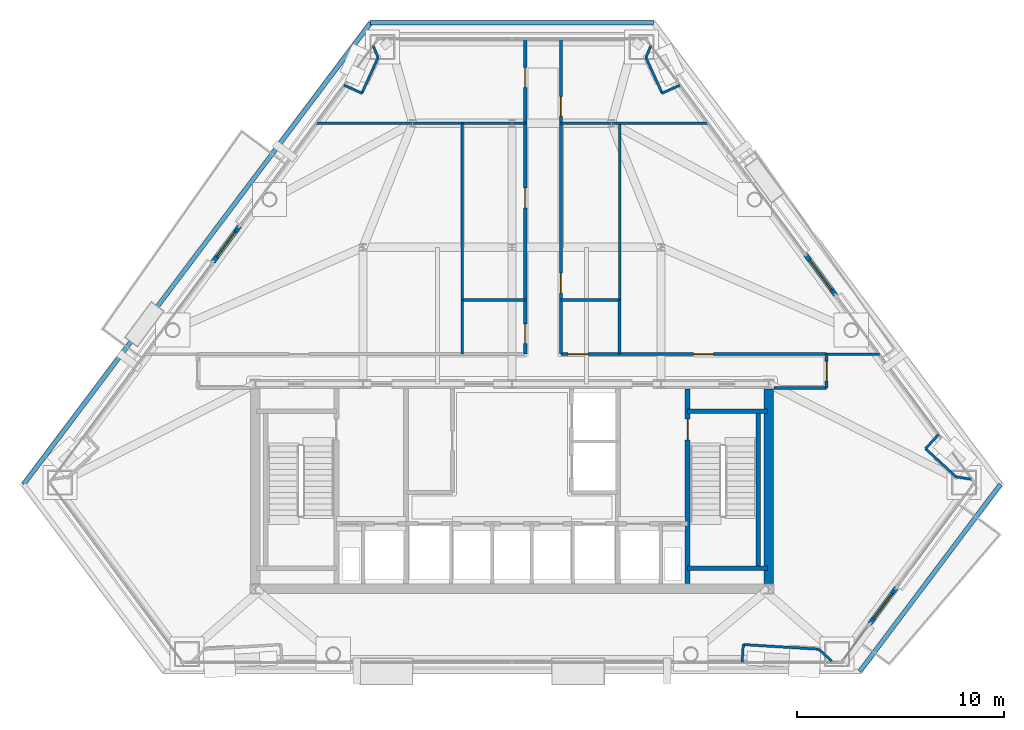
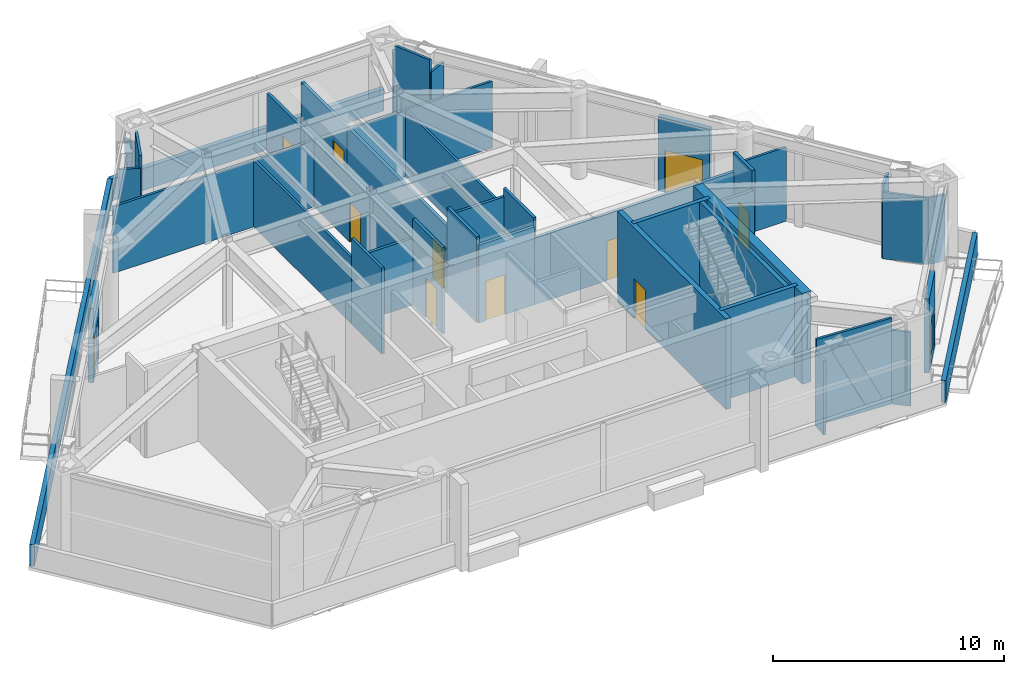
# One storey, part 6 of 9: 42 walls, 12 doors, 12 openings.
"""IFC4 building model written with IfcOpenShell, lengths in metres."""

import ifcopenshell
import ifcopenshell.guid

model = None  # the IFC model being written
_history = None  # IfcOwnerHistory: only IFC2X3 demands one
_inside = {}  # id of a spatial element -> (the spatial element, [elements in it])
_under = {}  # id of a project, library or spatial element -> (it, [spatial elements below it])
_declared = {}  # id of a project -> (the project, [libraries it declares])
_typed = {}  # id of a type object -> (the type object, [elements of that type])
_made_of = {}  # id of a material, layer set ... -> (it, [elements and type objects made of it])


def new_model(schema):
    """Start an empty IFC model of exactly this schema.

    Asked for "IFC4X3", IfcOpenShell would pick the latest addendum, in which some entities
    have other attributes; the version numbers below select the first issue.
    IFC2X3 requires an IfcOwnerHistory on every rooted entity: one is made here for all.
    """
    global model, _history
    if schema == "IFC4X3":
        model = ifcopenshell.file(schema_version=(4, 3, 0, 0))
    else:
        model = ifcopenshell.file(schema=schema)
    _inside.clear()
    _under.clear()
    _declared.clear()
    _typed.clear()
    _made_of.clear()
    _history = None
    if model.schema == "IFC2X3":
        org = make("IfcOrganization", Name="unknown")
        user = make(
            "IfcPersonAndOrganization",
            ThePerson=make("IfcPerson", FamilyName="unknown"),
            TheOrganization=org,
        )
        app = make(
            "IfcApplication",
            ApplicationDeveloper=org,
            Version="unknown",
            ApplicationFullName="unknown",
            ApplicationIdentifier="unknown",
        )
        _history = make(
            "IfcOwnerHistory",
            OwningUser=user,
            OwningApplication=app,
            ChangeAction="ADDED",
            CreationDate=0,
        )
    return model


def make(cls, **values):
    """One entity of the class cls with the attributes given. An attribute that is None is left unset."""
    return model.create_entity(
        cls, **{name: value for name, value in values.items() if value is not None}
    )


def rooted(cls, **values):
    """An entity with a GlobalId (a new one), such as an element, a storey or a relation."""
    return make(cls, GlobalId=ifcopenshell.guid.new(), OwnerHistory=_history, **values)


def si_unit(unit_type, name, prefix=None):
    """IfcSIUnit, for example si_unit("LENGTHUNIT", "METRE", prefix="MILLI")."""
    return make("IfcSIUnit", UnitType=unit_type, Prefix=prefix, Name=name)


def assignment(units):
    """IfcUnitAssignment: the units of a project."""
    return None if units is None else make("IfcUnitAssignment", Units=units)


def point(xyz):
    """IfcCartesianPoint."""
    return None if xyz is None else make("IfcCartesianPoint", Coordinates=xyz)


def direction(xyz):
    """IfcDirection."""
    return None if xyz is None else make("IfcDirection", DirectionRatios=xyz)


def frame(location, z_axis=None, x_axis=None):
    """IfcAxis2Placement3D, a coordinate frame: its origin and axes. An axis left out is left unset."""
    return make(
        "IfcAxis2Placement3D",
        Location=point(location),
        Axis=direction(z_axis),
        RefDirection=direction(x_axis),
    )


def frame_2d(location, x_axis=None):
    """IfcAxis2Placement2D, a coordinate frame in the plane: its origin and x axis."""
    return make(
        "IfcAxis2Placement2D", Location=point(location), RefDirection=direction(x_axis)
    )


def origin():
    """The frame at (0, 0, 0) with its axes left unset."""
    return frame((0.0, 0.0, 0.0))


def place(relative_to, where):
    """IfcLocalPlacement: puts the frame where relative to a parent placement (None: the world)."""
    return make(
        "IfcLocalPlacement", PlacementRelTo=relative_to, RelativePlacement=where
    )


def context(
    kind, dimensions, precision=None, world=None, true_north=None, identifier=None
):
    """IfcGeometricRepresentationContext, for example the 3D "Model" context."""
    return make(
        "IfcGeometricRepresentationContext",
        ContextIdentifier=identifier,
        ContextType=kind,
        CoordinateSpaceDimension=dimensions,
        Precision=precision,
        WorldCoordinateSystem=world,
        TrueNorth=true_north,
    )


def subcontext(parent, identifier, kind, view, scale=None):
    """IfcGeometricRepresentationSubContext, for example "Body" below "Model"."""
    return make(
        "IfcGeometricRepresentationSubContext",
        ContextIdentifier=identifier,
        ContextType=kind,
        ParentContext=parent,
        TargetScale=scale,
        TargetView=view,
    )


def project(units=None, contexts=None):
    """IfcProject with its units and contexts."""
    return rooted(
        "IfcProject",
        Name="project",
        RepresentationContexts=contexts,
        UnitsInContext=assignment(units),
    )


def spatial(cls, under=None, at=None, **own):
    """A site, building, storey or space (cls), placed at a placement, below another one or the project."""
    s = rooted(cls, ObjectPlacement=at, **own)
    if under is not None:
        _under.setdefault(under.id(), (under, []))[1].append(s)
    return s


def profile(cls, at=None, kind="AREA", **sizes):
    """A parametric profile (cls). Its sizes go by their IFC names, for example OverallWidth=200.0."""
    return make(cls, ProfileType=kind, Position=at, **sizes)


def rectangle(**sizes):
    """IfcRectangleProfileDef."""
    return profile("IfcRectangleProfileDef", **sizes)


def extrude(swept, where, along, depth):
    """IfcExtrudedAreaSolid: the profile swept, set in the frame where, extruded along a direction by depth."""
    return make(
        "IfcExtrudedAreaSolid",
        SweptArea=swept,
        Position=where,
        ExtrudedDirection=direction(along),
        Depth=depth,
    )


def shape(context_of_items, identifier, shape_type, items):
    """IfcShapeRepresentation: the items that make up one representation, for example the "Body"."""
    return make(
        "IfcShapeRepresentation",
        ContextOfItems=context_of_items,
        RepresentationIdentifier=identifier,
        RepresentationType=shape_type,
        Items=items,
    )


def material(Name=None, Category=None):
    """IfcMaterial."""
    return make("IfcMaterial", Name=Name, Category=Category)


def layer(
    of_material, thickness, ventilated=None, Name=None, Category=None, Priority=None
):
    """IfcMaterialLayer: one layer of a wall or slab, of a material (None: an air gap)."""
    return make(
        "IfcMaterialLayer",
        Material=of_material,
        LayerThickness=thickness,
        IsVentilated=ventilated,
        Name=Name,
        Category=Category,
        Priority=Priority,
    )


def layer_set(layers, Name=None):
    """IfcMaterialLayerSet."""
    return make("IfcMaterialLayerSet", MaterialLayers=layers, LayerSetName=Name)


def made_of(thing, what):
    """Note that an element or type object is made of a material, layer set ...; save() writes the relation."""
    if what is not None:
        _made_of.setdefault(what.id(), (what, []))[1].append(thing)
    return thing


def type_object(cls, material=None, **own):
    """A type object (cls), such as IfcWallType, which elements share."""
    return made_of(rooted(cls, **own), material)


def element(
    cls,
    number,
    at=None,
    inside=None,
    cuts=None,
    type_object=None,
    material=None,
    context=None,
    identifier="Body",
    shape_type=None,
    held_by="IfcProductDefinitionShape",
    body=None,
    shapes=None,
    **own,
):
    """One element of the class cls, such as IfcWall. Its Tag is "e" and its number.

    at: its placement. inside: the storey or other place that contains it. cuts: it is an
    opening in that element (IfcRelVoidsElement). A single representation is given by context,
    identifier, shape_type and body (its items); several are given by shapes. held_by: the class
    of the entity that holds the representations. save() writes the other relations.
    """
    e = rooted(cls, Tag="e%d" % number, ObjectPlacement=at, **own)
    if body is not None:
        shapes = [shape(context, identifier, shape_type, body)]
    if shapes is not None:
        e.Representation = make(held_by, Representations=shapes)
    if inside is not None:
        _inside.setdefault(inside.id(), (inside, []))[1].append(e)
    if cuts is not None:
        rooted(
            "IfcRelVoidsElement", RelatingBuildingElement=cuts, RelatedOpeningElement=e
        )
    if type_object is not None:
        _typed.setdefault(type_object.id(), (type_object, []))[1].append(e)
    return made_of(e, material)


def fill(opening, filler):
    """IfcRelFillsElement: the door or window that sits in an opening."""
    return rooted(
        "IfcRelFillsElement",
        RelatingOpeningElement=opening,
        RelatedBuildingElement=filler,
    )


def aggregate(whole, parts):
    """IfcRelAggregates: a whole, such as a stair, and the parts it consists of."""
    return rooted("IfcRelAggregates", RelatingObject=whole, RelatedObjects=parts)


def save(model, path):
    """Write the relations noted so far, then the file.

    IfcRelAggregates (storeys below a building ...), IfcRelContainedInSpatialStructure (elements
    in a storey), IfcRelDefinesByType, IfcRelAssociatesMaterial and IfcRelDeclares: one each for
    every whole, place, type object, material and project.
    """
    for whole, parts in _under.values():
        aggregate(whole, parts)
    for where, things in _inside.values():
        rooted(
            "IfcRelContainedInSpatialStructure",
            RelatedElements=things,
            RelatingStructure=where,
        )
    for kind, things in _typed.values():
        rooted("IfcRelDefinesByType", RelatedObjects=things, RelatingType=kind)
    for what, things in _made_of.values():
        rooted("IfcRelAssociatesMaterial", RelatedObjects=things, RelatingMaterial=what)
    for by, libraries in _declared.values():
        rooted("IfcRelDeclares", RelatingContext=by, RelatedDefinitions=libraries)
    model.write(path)


model = new_model("IFC4")

# Units and contexts
model_context = context("Model", 3, precision=1e-05, world=origin(), true_north=direction((0.0, 1.0)))
body_context = subcontext(model_context, "Body", "Model", "MODEL_VIEW")
ifc_project = project(units=[si_unit("LENGTHUNIT", "METRE"), si_unit("AREAUNIT", "SQUARE_METRE"), si_unit("VOLUMEUNIT", "CUBIC_METRE"), si_unit("PLANEANGLEUNIT", "RADIAN"), si_unit("MASSUNIT", "GRAM", prefix="KILO")], contexts=[model_context])

# Site, building, storey
site_placement = place(None, origin())
site = spatial("IfcSite", under=ifc_project, at=site_placement, CompositionType="ELEMENT")
building_placement = place(site_placement, origin())
building = spatial("IfcBuilding", under=site, at=building_placement, Name="Talgorran Terracotta Tower", CompositionType="ELEMENT")
storey_placement = place(building_placement, frame((0.0, 0.0, 94.800048828125)))
storey = spatial("IfcBuildingStorey", under=building, at=storey_placement, Name="L24", CompositionType="ELEMENT", Elevation=94.800048828125)

# Wall, opening, door
ifc_material_1 = material(Name="Concrete C40/50", Category="concrete")
ifc_layer_1 = layer(ifc_material_1, 0.239990234375, Name="WT_BALCONY_SPAND")
ifc_layer_set_1 = layer_set([ifc_layer_1], Name="Concrete C40/50")
wall_type_1 = type_object("IfcWallType", Name="WT_BALCONY_SPAND", PredefinedType="STANDARD", material=ifc_layer_set_1)
wall_1_placement = place(storey_placement, frame((15.636962890625, 0.09130859375, -0.01513671875), z_axis=(0.0, 0.0, 1.0), x_axis=(-0.595170117465, 0.803599733248, 0.0)))
wall_1 = element("IfcWall", 1, at=wall_1_placement, inside=storey, type_object=wall_type_1, Name="WL-L24-BALP-BAL-NE", PredefinedType="STANDARD", context=body_context, shape_type="SweptSolid", body=[
    extrude(rectangle(XDim=2.43994140625, YDim=0.239990234375, at=frame_2d((1.219970703125, 0.0))), origin(), (0.0, 0.0, 1.0), 3.928466796875),
])
opening_1_placement = place(wall_1_placement, frame((0.320068359375, 0.0, 0.014892578125)))
opening_1 = element("IfcOpeningElement", 2, at=opening_1_placement, cuts=wall_1, Name="Opening D-BAL-L24-1", PredefinedType="OPENING", context=body_context, shape_type="SweptSolid", body=[
    extrude(rectangle(XDim=1.806048828125, YDim=2.203951171875, at=frame_2d((0.89990234375, 1.10205078125))), frame((0.0, 0.1298828125, 0.0), z_axis=(0.0, -1.0, 0.0), x_axis=(1.0, 0.0, 0.0)), (0.0, 0.0, 1.0), 0.260009765625),
])
ifc_material_2 = material(Name="Thermally Broken Aluminium", Category="aluminium")
door_type_1 = type_object("IfcDoorType", Name="DT_BALC_1800", OperationType="SLIDING_TO_LEFT", PredefinedType="DOOR", material=ifc_material_2)
door_1_placement = place(opening_1_placement, origin())
door_1 = element("IfcDoor", 3, at=door_1_placement, inside=storey, type_object=door_type_1, Name="DR-L24-BAL-BAL-NE", OperationType="SLIDING_TO_LEFT", OverallHeight=2.199951171875, OverallWidth=1.800048828125, PredefinedType="DOOR", context=body_context, shape_type="SweptSolid", body=[
    extrude(rectangle(XDim=1.800048828125, YDim=2.199951171875, at=frame_2d((0.89990234375, 1.10009765625))), frame((0.0, 0.02490234375, 0.0), z_axis=(0.0, -1.0, 0.0), x_axis=(1.0, 0.0, 0.0)), (0.0, 0.0, 1.0), 0.050048828125),
])
fill(opening_1, door_1)

wall_2_placement = place(storey_placement, frame((-13.1728515625, 3.418212890625, -0.01513671875), z_axis=(0.0, 0.0, 1.0), x_axis=(-0.595170255066, -0.803599631337, 0.0)))
wall_2 = element("IfcWall", 4, at=wall_2_placement, inside=storey, type_object=wall_type_1, Name="WL-L24-BALP-BAL-NW", PredefinedType="STANDARD", context=body_context, shape_type="SweptSolid", body=[
    extrude(rectangle(XDim=2.14013671875, YDim=0.239990234375, at=frame_2d((1.070068359375, 0.0))), origin(), (0.0, 0.0, 1.0), 3.928466796875),
])
opening_2_placement = place(wall_2_placement, frame((0.320068359375, 0.0, 0.014892578125)))
opening_2 = element("IfcOpeningElement", 5, at=opening_2_placement, cuts=wall_2, Name="Opening D-BAL-L24-2", PredefinedType="OPENING", context=body_context, shape_type="SweptSolid", body=[
    extrude(rectangle(XDim=1.506, YDim=2.203951171875, at=frame_2d((0.75, 1.10205078125))), frame((0.0, 0.1298828125, 0.0), z_axis=(0.0, -1.0, 0.0), x_axis=(1.0, 0.0, 0.0)), (0.0, 0.0, 1.0), 0.260009765625),
])
door_type_2 = type_object("IfcDoorType", Name="DT_BALC_1500", OperationType="SLIDING_TO_RIGHT", PredefinedType="DOOR", material=ifc_material_2)
door_2_placement = place(opening_2_placement, origin())
door_2 = element("IfcDoor", 6, at=door_2_placement, inside=storey, type_object=door_type_2, Name="DR-L24-BAL-BAL-NW", OperationType="SLIDING_TO_RIGHT", OverallHeight=2.199951171875, OverallWidth=1.5, PredefinedType="DOOR", context=body_context, shape_type="SweptSolid", body=[
    extrude(rectangle(XDim=1.5, YDim=2.199951171875, at=frame_2d((0.75, 1.10009765625))), frame((0.0, 0.02490234375, 0.0), z_axis=(0.0, -1.0, 0.0), x_axis=(1.0, 0.0, 0.0)), (0.0, 0.0, 1.0), 0.050048828125),
])
fill(opening_2, door_2)

wall_3_placement = place(storey_placement, frame((17.29443359375, -15.776123046875, -0.01513671875), z_axis=(0.0, 0.0, 1.0), x_axis=(0.595170255066, 0.803599631337, 0.0)))
wall_3 = element("IfcWall", 7, at=wall_3_placement, inside=storey, type_object=wall_type_1, Name="WL-L24-BALP-BAL-SE", PredefinedType="STANDARD", context=body_context, shape_type="SweptSolid", body=[
    extrude(rectangle(XDim=2.14013671875, YDim=0.239990234375, at=frame_2d((1.070068359375, 0.0))), origin(), (0.0, 0.0, 1.0), 3.928466796875),
])
opening_3_placement = place(wall_3_placement, frame((0.320068359375, 0.0, 0.014892578125)))
opening_3 = element("IfcOpeningElement", 8, at=opening_3_placement, cuts=wall_3, Name="Opening D-BAL-L24-3", PredefinedType="OPENING", context=body_context, shape_type="SweptSolid", body=[
    extrude(rectangle(XDim=1.506, YDim=2.203951171875, at=frame_2d((0.75, 1.10205078125))), frame((0.0, 0.1298828125, 0.0), z_axis=(0.0, -1.0, 0.0), x_axis=(1.0, 0.0, 0.0)), (0.0, 0.0, 1.0), 0.260009765625),
])
door_3_placement = place(opening_3_placement, origin())
door_3 = element("IfcDoor", 9, at=door_3_placement, inside=storey, type_object=door_type_2, Name="DR-L24-BAL-BAL-SE", OperationType="SLIDING_TO_RIGHT", OverallHeight=2.199951171875, OverallWidth=1.5, PredefinedType="DOOR", context=body_context, shape_type="SweptSolid", body=[
    extrude(rectangle(XDim=1.5, YDim=2.199951171875, at=frame_2d((0.75, 1.10009765625))), frame((0.0, 0.02490234375, 0.0), z_axis=(0.0, -1.0, 0.0), x_axis=(1.0, 0.0, 0.0)), (0.0, 0.0, 1.0), 0.050048828125),
])
fill(opening_3, door_3)

# Walls
ifc_material_3 = material(Name="Concrete C50/60", Category="concrete")
ifc_layer_2 = layer(ifc_material_3, 0.199951171875, Name="WT_CORE_200")
ifc_layer_set_2 = layer_set([ifc_layer_2], Name="Concrete C50/60")
wall_type_2 = type_object("IfcWallType", Name="WT_CORE_200", PredefinedType="SOLIDWALL", material=ifc_layer_set_2)
for number, where, z_axis, x_axis, name in (
    (10, (8.47998046875, -5.52001953125, 0.0), (0.0, 0.0, 1.0), (1.0, 0.0, 0.0), "WL-L24-CW-ST2-N"),
    (11, (8.47998046875, -13.10009765625, 0.0), (0.0, 0.0, 1.0), (1.0, 0.0, 0.0), "WL-L24-CW-ST2-S"),
):
    element("IfcWall", number, at=place(storey_placement, frame(where, z_axis=z_axis, x_axis=x_axis)), inside=storey, type_object=wall_type_2, Name=name, PredefinedType="SOLIDWALL", context=body_context, shape_type="SweptSolid", body=[
        extrude(rectangle(XDim=3.8701171875, YDim=0.199951171875, at=frame_2d((1.93505859375, 0.0))), origin(), (0.0, 0.0, 1.0), 4.800048828125),
    ])
wall_4_placement = place(storey_placement, frame((11.89990234375, -13.10009765625, 0.0), z_axis=(0.0, 0.0, 1.0), x_axis=(0.0, 1.0, 0.0)))
element("IfcWall", 12, at=wall_4_placement, inside=storey, type_object=wall_type_2, Name="WL-L24-CW-ST2-E", PredefinedType="SOLIDWALL", context=body_context, shape_type="SweptSolid", body=[
    extrude(rectangle(XDim=7.580078125, YDim=0.199951171875, at=frame_2d((3.7900390625, 0.0))), origin(), (0.0, 0.0, 1.0), 4.800048828125),
])

# Wall, opening, door
ifc_layer_3 = layer(ifc_material_3, 0.25, Name="WT_CORE_250")
ifc_layer_set_3 = layer_set([ifc_layer_3], Name="Concrete C50/60")
wall_type_3 = type_object("IfcWallType", Name="WT_CORE_250", PredefinedType="SHEAR", material=ifc_layer_set_3)
wall_5_placement = place(storey_placement, frame((8.47998046875, -13.85009765625, 0.0), z_axis=(0.0, 0.0, 1.0), x_axis=(0.0, 1.0, 0.0)))
wall_5 = element("IfcWall", 13, at=wall_5_placement, inside=storey, type_object=wall_type_3, Name="WL-L24-CW-V-E1", PredefinedType="SHEAR", context=body_context, shape_type="SweptSolid", body=[
    extrude(rectangle(XDim=9.400146484375, YDim=0.25, at=frame_2d((4.7001953125, 0.0))), origin(), (0.0, 0.0, 1.0), 4.800048828125),
])
opening_4_placement = place(wall_5_placement, frame((6.949951171875, 0.0, 0.0)))
opening_4 = element("IfcOpeningElement", 14, at=opening_4_placement, cuts=wall_5, Name="Opening DR-ST02", PredefinedType="OPENING", context=body_context, shape_type="SweptSolid", body=[
    extrude(rectangle(XDim=1.006, YDim=2.10409765625, at=frame_2d((0.5, 1.052001953125))), frame((0.0, 0.135009765625, 0.0), z_axis=(0.0, -1.0, 0.0), x_axis=(1.0, 0.0, 0.0)), (0.0, 0.0, 1.0), 0.27001953125),
])
ifc_material_4 = material(Name="Fire-Rated Pressed Steel", Category="steel")
door_type_3 = type_object("IfcDoorType", Name="DT_FIRE_1000", OperationType="NOTDEFINED", PredefinedType="DOOR", material=ifc_material_4)
door_4_placement = place(opening_4_placement, origin())
door_4 = element("IfcDoor", 15, at=door_4_placement, inside=storey, type_object=door_type_3, Name="DR-ST02", OperationType="SINGLE_SWING_RIGHT", OverallHeight=2.10009765625, OverallWidth=1.0, PredefinedType="DOOR", context=body_context, shape_type="SweptSolid", body=[
    extrude(rectangle(XDim=1.0, YDim=2.10009765625, at=frame_2d((0.5, 1.050048828125))), frame((0.0, 0.02490234375, 0.0), z_axis=(0.0, -1.0, 0.0), x_axis=(1.0, 0.0, 0.0)), (0.0, 0.0, 1.0), 0.050048828125),
])
fill(opening_4, door_4)

# Wall
ifc_material_5 = material(Name="Concrete C65/80", Category="concrete")
ifc_layer_4 = layer(ifc_material_5, 0.449951171875, Name="WT_CORE_EXT")
ifc_layer_set_4 = layer_set([ifc_layer_4], Name="Concrete C65/80")
wall_type_4 = type_object("IfcWallType", Name="WT_CORE_EXT", PredefinedType="SHEAR", material=ifc_layer_set_4)
wall_6_placement = place(storey_placement, frame((12.39990234375, -13.85009765625, 0.0), z_axis=(0.0, 0.0, 1.0), x_axis=(0.0, 1.0, 0.0)))
element("IfcWall", 16, at=wall_6_placement, inside=storey, type_object=wall_type_4, Name="WL-L24-CW-OUT-E", PredefinedType="SHEAR", context=body_context, shape_type="SweptSolid", body=[
    extrude(rectangle(XDim=9.400146484375, YDim=0.449951171875, at=frame_2d((4.7001953125, 0.0))), origin(), (0.0, 0.0, 1.0), 4.800048828125),
])

# Wall, opening, door
ifc_material_6 = material(Name="Fire-Rated Steel Stud Plasterboard", Category="steel")
ifc_layer_5 = layer(ifc_material_6, 0.14990234375, Name="WT_FIRE_150")
ifc_layer_set_5 = layer_set([ifc_layer_5], Name="Fire-Rated Steel Stud Plasterboard")
wall_type_5 = type_object("IfcWallType", Name="WT_FIRE_150", PredefinedType="PARTITIONING", material=ifc_layer_set_5)
wall_7_placement = place(storey_placement, frame((5.139892578125, -2.760009765625, 0.0), z_axis=(0.0, 0.0, 1.0), x_axis=(1.0, 0.0, 0.0)))
wall_7 = element("IfcWall", 17, at=wall_7_placement, inside=storey, type_object=wall_type_5, Name="WL-L24-W-L24-R11", PredefinedType="PARTITIONING", context=body_context, shape_type="SweptSolid", body=[
    extrude(rectangle(XDim=10.06005859375, YDim=0.14990234375, at=frame_2d((5.030029296875, 0.0))), origin(), (0.0, 0.0, 1.0), 3.52490234375),
])
opening_5_placement = place(wall_7_placement, frame((3.635986328125, 0.0, 0.0)))
opening_5 = element("IfcOpeningElement", 18, at=opening_5_placement, cuts=wall_7, Name="Opening DR-L24-R07", PredefinedType="OPENING", context=body_context, shape_type="SweptSolid", body=[
    extrude(rectangle(XDim=0.955951171875, YDim=2.10409765625, at=frame_2d((0.47509765625, 1.052001953125))), frame((0.0, 0.0849609375, 0.0), z_axis=(0.0, -1.0, 0.0), x_axis=(1.0, 0.0, 0.0)), (0.0, 0.0, 1.0), 0.169921875),
])
ifc_material_7 = material(Name="Fire-Rated Timber Core", Category="wood")
door_type_4 = type_object("IfcDoorType", Name="DT_FIRE_950", OperationType="NOTDEFINED", PredefinedType="DOOR", material=ifc_material_7)
door_5_placement = place(opening_5_placement, origin())
door_5 = element("IfcDoor", 19, at=door_5_placement, inside=storey, type_object=door_type_4, Name="DR-L24-R07", OperationType="SINGLE_SWING_LEFT", OverallHeight=2.10009765625, OverallWidth=0.949951171875, PredefinedType="DOOR", context=body_context, shape_type="SweptSolid", body=[
    extrude(rectangle(XDim=0.949951171875, YDim=2.10009765625, at=frame_2d((0.47509765625, 1.050048828125))), frame((0.0, 0.02490234375, 0.0), z_axis=(0.0, -1.0, 0.0), x_axis=(1.0, 0.0, 0.0)), (0.0, 0.0, 1.0), 0.050048828125),
])
fill(opening_5, door_5)

wall_8_placement = place(storey_placement, frame((0.639892578125, -0.199951171875, 0.0), z_axis=(0.0, 0.0, 1.0), x_axis=(0.0, 1.0, 0.0)))
wall_8 = element("IfcWall", 20, at=wall_8_placement, inside=storey, type_object=wall_type_5, Name="WL-L24-W-L24-R10", PredefinedType="PARTITIONING", context=body_context, shape_type="SweptSolid", body=[
    extrude(rectangle(XDim=8.659912109375, YDim=0.14990234375, at=frame_2d((4.330078125, 0.0))), origin(), (0.0, 0.0, 1.0), 3.52490234375),
])
opening_6_placement = place(wall_8_placement, frame((4.51416015625, 0.0, 0.0)))
opening_6 = element("IfcOpeningElement", 21, at=opening_6_placement, cuts=wall_8, Name="Opening DR-L24-R06", PredefinedType="OPENING", context=body_context, shape_type="SweptSolid", body=[
    extrude(rectangle(XDim=0.955951171875, YDim=2.10409765625, at=frame_2d((0.47509765625, 1.052001953125))), frame((0.0, 0.0849609375, 0.0), z_axis=(0.0, -1.0, 0.0), x_axis=(1.0, 0.0, 0.0)), (0.0, 0.0, 1.0), 0.169921875),
])
door_6_placement = place(opening_6_placement, origin())
door_6 = element("IfcDoor", 22, at=door_6_placement, inside=storey, type_object=door_type_4, Name="DR-L24-R06", OperationType="SINGLE_SWING_RIGHT", OverallHeight=2.10009765625, OverallWidth=0.949951171875, PredefinedType="DOOR", context=body_context, shape_type="SweptSolid", body=[
    extrude(rectangle(XDim=0.949951171875, YDim=2.10009765625, at=frame_2d((0.47509765625, 1.050048828125))), frame((0.0, 0.02490234375, 0.0), z_axis=(0.0, -1.0, 0.0), x_axis=(1.0, 0.0, 0.0)), (0.0, 0.0, 1.0), 0.050048828125),
])
fill(opening_6, door_6)

wall_9_placement = place(storey_placement, frame((2.360107421875, -0.199951171875, 0.0), z_axis=(0.0, 0.0, 1.0), x_axis=(0.0, 1.0, 0.0)))
wall_9 = element("IfcWall", 23, at=wall_9_placement, inside=storey, type_object=wall_type_5, Name="WL-L24-W-L24-R12", PredefinedType="PARTITIONING", context=body_context, shape_type="SweptSolid", body=[
    extrude(rectangle(XDim=8.659912109375, YDim=0.14990234375, at=frame_2d((4.330078125, 0.0))), origin(), (0.0, 0.0, 1.0), 3.52490234375),
])
opening_7_placement = place(wall_9_placement, frame((0.399658203125, 0.0, 0.0)))
opening_7 = element("IfcOpeningElement", 24, at=opening_7_placement, cuts=wall_9, Name="Opening DR-L24-R08", PredefinedType="OPENING", context=body_context, shape_type="SweptSolid", body=[
    extrude(rectangle(XDim=0.955951171875, YDim=2.10409765625, at=frame_2d((0.47509765625, 1.052001953125))), frame((0.0, 0.0849609375, 0.0), z_axis=(0.0, -1.0, 0.0), x_axis=(1.0, 0.0, 0.0)), (0.0, 0.0, 1.0), 0.169921875),
])
door_7_placement = place(opening_7_placement, origin())
door_7 = element("IfcDoor", 25, at=door_7_placement, inside=storey, type_object=door_type_4, Name="DR-L24-R08", OperationType="SINGLE_SWING_RIGHT", OverallHeight=2.10009765625, OverallWidth=0.949951171875, PredefinedType="DOOR", context=body_context, shape_type="SweptSolid", body=[
    extrude(rectangle(XDim=0.949951171875, YDim=2.10009765625, at=frame_2d((0.47509765625, 1.050048828125))), frame((0.0, 0.02490234375, 0.0), z_axis=(0.0, -1.0, 0.0), x_axis=(1.0, 0.0, 0.0)), (0.0, 0.0, 1.0), 0.050048828125),
])
fill(opening_7, door_7)

wall_10_placement = place(storey_placement, frame((0.639892578125, 8.4619140625, 0.0), z_axis=(0.0, 0.0, 1.0), x_axis=(0.0, 1.0, 0.0)))
wall_10 = element("IfcWall", 26, at=wall_10_placement, inside=storey, type_object=wall_type_5, Name="WL-L24-W-L24-R13", PredefinedType="PARTITIONING", context=body_context, shape_type="SweptSolid", body=[
    extrude(rectangle(XDim=4.012939453125, YDim=0.14990234375, at=frame_2d((2.00634765625, 0.0))), origin(), (0.0, 0.0, 1.0), 3.52490234375),
])
opening_8_placement = place(wall_10_placement, frame((1.66796875, 0.0, 0.0)))
opening_8 = element("IfcOpeningElement", 27, at=opening_8_placement, cuts=wall_10, Name="Opening DR-L24-R09", PredefinedType="OPENING", context=body_context, shape_type="SweptSolid", body=[
    extrude(rectangle(XDim=0.955951171875, YDim=2.10409765625, at=frame_2d((0.47509765625, 1.052001953125))), frame((0.0, 0.0849609375, 0.0), z_axis=(0.0, -1.0, 0.0), x_axis=(1.0, 0.0, 0.0)), (0.0, 0.0, 1.0), 0.169921875),
])
door_8_placement = place(opening_8_placement, origin())
door_8 = element("IfcDoor", 28, at=door_8_placement, inside=storey, type_object=door_type_4, Name="DR-L24-R09", OperationType="SINGLE_SWING_LEFT", OverallHeight=2.10009765625, OverallWidth=0.949951171875, PredefinedType="DOOR", context=body_context, shape_type="SweptSolid", body=[
    extrude(rectangle(XDim=0.949951171875, YDim=2.10009765625, at=frame_2d((0.47509765625, 1.050048828125))), frame((0.0, 0.02490234375, 0.0), z_axis=(0.0, -1.0, 0.0), x_axis=(1.0, 0.0, 0.0)), (0.0, 0.0, 1.0), 0.050048828125),
])
fill(opening_8, door_8)

wall_11_placement = place(storey_placement, frame((2.360107421875, 8.4619140625, 0.0), z_axis=(0.0, 0.0, 1.0), x_axis=(0.0, 1.0, 0.0)))
wall_11 = element("IfcWall", 29, at=wall_11_placement, inside=storey, type_object=wall_type_5, Name="WL-L24-W-L24-R14", PredefinedType="PARTITIONING", context=body_context, shape_type="SweptSolid", body=[
    extrude(rectangle(XDim=4.012939453125, YDim=0.14990234375, at=frame_2d((2.00634765625, 0.0))), origin(), (0.0, 0.0, 1.0), 3.52490234375),
])
opening_9_placement = place(wall_11_placement, frame((0.2763671875, 0.0, 0.0)))
opening_9 = element("IfcOpeningElement", 30, at=opening_9_placement, cuts=wall_11, Name="Opening DR-L24-R10", PredefinedType="OPENING", context=body_context, shape_type="SweptSolid", body=[
    extrude(rectangle(XDim=0.955951171875, YDim=2.10409765625, at=frame_2d((0.47509765625, 1.052001953125))), frame((0.0, 0.0849609375, 0.0), z_axis=(0.0, -1.0, 0.0), x_axis=(1.0, 0.0, 0.0)), (0.0, 0.0, 1.0), 0.169921875),
])
door_9_placement = place(opening_9_placement, origin())
door_9 = element("IfcDoor", 31, at=door_9_placement, inside=storey, type_object=door_type_4, Name="DR-L24-R10", OperationType="SINGLE_SWING_RIGHT", OverallHeight=2.10009765625, OverallWidth=0.949951171875, PredefinedType="DOOR", context=body_context, shape_type="SweptSolid", body=[
    extrude(rectangle(XDim=0.949951171875, YDim=2.10009765625, at=frame_2d((0.47509765625, 1.050048828125))), frame((0.0, 0.02490234375, 0.0), z_axis=(0.0, -1.0, 0.0), x_axis=(1.0, 0.0, 0.0)), (0.0, 0.0, 1.0), 0.050048828125),
])
fill(opening_9, door_9)

wall_12_placement = place(storey_placement, frame((2.360107421875, -2.760009765625, 0.0), z_axis=(0.0, 0.0, 1.0), x_axis=(1.0, 0.0, 0.0)))
wall_12 = element("IfcWall", 32, at=wall_12_placement, inside=storey, type_object=wall_type_5, Name="WL-L24-W-L24-R06", PredefinedType="PARTITIONING", context=body_context, shape_type="SweptSolid", body=[
    extrude(rectangle(XDim=2.77783203125, YDim=0.14990234375, at=frame_2d((1.388916015625, 0.0))), origin(), (0.0, 0.0, 1.0), 4.11865234375),
])
opening_10_placement = place(wall_12_placement, frame((0.358642578125, 0.0, 0.0)))
opening_10 = element("IfcOpeningElement", 33, at=opening_10_placement, cuts=wall_12, Name="Opening DR-L24-R03", PredefinedType="OPENING", context=body_context, shape_type="SweptSolid", body=[
    extrude(rectangle(XDim=0.955951171875, YDim=2.10409765625, at=frame_2d((0.47509765625, 1.052001953125))), frame((0.0, 0.0849609375, 0.0), z_axis=(0.0, -1.0, 0.0), x_axis=(1.0, 0.0, 0.0)), (0.0, 0.0, 1.0), 0.169921875),
])
door_10_placement = place(opening_10_placement, origin())
door_10 = element("IfcDoor", 34, at=door_10_placement, inside=storey, type_object=door_type_4, Name="DR-L24-R03", OperationType="SINGLE_SWING_LEFT", OverallHeight=2.10009765625, OverallWidth=0.949951171875, PredefinedType="DOOR", context=body_context, shape_type="SweptSolid", body=[
    extrude(rectangle(XDim=0.949951171875, YDim=2.10009765625, at=frame_2d((0.47509765625, 1.050048828125))), frame((0.0, 0.02490234375, 0.0), z_axis=(0.0, -1.0, 0.0), x_axis=(1.0, 0.0, 0.0)), (0.0, 0.0, 1.0), 0.050048828125),
])
fill(opening_10, door_10)

# Walls
wall_13_placement = place(storey_placement, frame((12.652099609375, -4.39990234375, 0.0), z_axis=(0.0, 0.0, 1.0), x_axis=(1.0, 0.0, 0.0)))
element("IfcWall", 35, at=wall_13_placement, inside=storey, type_object=wall_type_5, Name="WL-L24-W-L24-R03", PredefinedType="PARTITIONING", context=body_context, shape_type="SweptSolid", body=[
    extrude(rectangle(XDim=2.5478515625, YDim=0.14990234375, at=frame_2d((1.27392578125, 0.0))), origin(), (0.0, 0.0, 1.0), 3.52490234375),
])
wall_14_placement = place(storey_placement, frame((2.360107421875, -2.760009765625, 0.0), z_axis=(0.0, 0.0, 1.0), x_axis=(0.0, 1.0, 0.0)))
element("IfcWall", 36, at=wall_14_placement, inside=storey, type_object=wall_type_5, Name="WL-L24-W-L24-R05", PredefinedType="PARTITIONING", context=body_context, shape_type="SweptSolid", body=[
    extrude(rectangle(XDim=2.55810546875, YDim=0.14990234375, at=frame_2d((1.279052734375, 0.0))), origin(), (0.0, 0.0, 1.0), 4.550048828125),
])

# Wall, opening, door
wall_15_placement = place(storey_placement, frame((0.639892578125, -2.760009765625, 0.0), z_axis=(0.0, 0.0, 1.0), x_axis=(0.0, 1.0, 0.0)))
wall_15 = element("IfcWall", 37, at=wall_15_placement, inside=storey, type_object=wall_type_5, Name="WL-L24-W-L24-R08", PredefinedType="PARTITIONING", context=body_context, shape_type="SweptSolid", body=[
    extrude(rectangle(XDim=2.55810546875, YDim=0.14990234375, at=frame_2d((1.279052734375, 0.0))), origin(), (0.0, 0.0, 1.0), 4.550048828125),
])
opening_11_placement = place(wall_15_placement, frame((0.51220703125, 0.0, 0.0)))
opening_11 = element("IfcOpeningElement", 38, at=opening_11_placement, cuts=wall_15, Name="Opening DR-L24-R04", PredefinedType="OPENING", context=body_context, shape_type="SweptSolid", body=[
    extrude(rectangle(XDim=0.955951171875, YDim=2.10409765625, at=frame_2d((0.47509765625, 1.052001953125))), frame((0.0, 0.0849609375, 0.0), z_axis=(0.0, -1.0, 0.0), x_axis=(1.0, 0.0, 0.0)), (0.0, 0.0, 1.0), 0.169921875),
])
door_11_placement = place(opening_11_placement, origin())
door_11 = element("IfcDoor", 39, at=door_11_placement, inside=storey, type_object=door_type_4, Name="DR-L24-R04", OperationType="SINGLE_SWING_RIGHT", OverallHeight=2.10009765625, OverallWidth=0.949951171875, PredefinedType="DOOR", context=body_context, shape_type="SweptSolid", body=[
    extrude(rectangle(XDim=0.949951171875, YDim=2.10009765625, at=frame_2d((0.47509765625, 1.050048828125))), frame((0.0, 0.02490234375, 0.0), z_axis=(0.0, -1.0, 0.0), x_axis=(1.0, 0.0, 0.0)), (0.0, 0.0, 1.0), 0.050048828125),
])
fill(opening_11, door_11)

wall_16_placement = place(storey_placement, frame((15.199951171875, -4.39990234375, 0.0), z_axis=(0.0, 0.0, 1.0), x_axis=(0.0, 1.0, 0.0)))
wall_16 = element("IfcWall", 40, at=wall_16_placement, inside=storey, type_object=wall_type_5, Name="WL-L24-W-L24-R04", PredefinedType="PARTITIONING", context=body_context, shape_type="SweptSolid", body=[
    extrude(rectangle(XDim=1.639892578125, YDim=0.14990234375, at=frame_2d((0.81982421875, 0.0))), origin(), (0.0, 0.0, 1.0), 4.550048828125),
])
opening_12_placement = place(wall_16_placement, frame((0.344970703125, 0.0, 0.0)))
opening_12 = element("IfcOpeningElement", 41, at=opening_12_placement, cuts=wall_16, Name="Opening DR-L24-R02", PredefinedType="OPENING", context=body_context, shape_type="SweptSolid", body=[
    extrude(rectangle(XDim=0.955951171875, YDim=2.10409765625, at=frame_2d((0.47509765625, 1.052001953125))), frame((0.0, 0.0849609375, 0.0), z_axis=(0.0, -1.0, 0.0), x_axis=(1.0, 0.0, 0.0)), (0.0, 0.0, 1.0), 0.169921875),
])
door_12_placement = place(opening_12_placement, origin())
door_12 = element("IfcDoor", 42, at=door_12_placement, inside=storey, type_object=door_type_4, Name="DR-L24-R02", OperationType="SINGLE_SWING_RIGHT", OverallHeight=2.10009765625, OverallWidth=0.949951171875, PredefinedType="DOOR", context=body_context, shape_type="SweptSolid", body=[
    extrude(rectangle(XDim=0.949951171875, YDim=2.10009765625, at=frame_2d((0.47509765625, 1.050048828125))), frame((0.0, 0.02490234375, 0.0), z_axis=(0.0, -1.0, 0.0), x_axis=(1.0, 0.0, 0.0)), (0.0, 0.0, 1.0), 0.050048828125),
])
fill(opening_12, door_12)

# Walls
ifc_layer_6 = layer(ifc_material_1, 0.219970703125, Name="WT_PARAPET_RC")
ifc_layer_set_6 = layer_set([ifc_layer_6], Name="Concrete C40/50")
wall_type_6 = type_object("IfcWallType", Name="WT_PARAPET_RC", PredefinedType="PARAPET", material=ifc_layer_set_6)
wall_17_placement = place(storey_placement, frame((16.803466796875, -18.082275390625, -0.02001953125), z_axis=(0.0, 0.0, 1.0), x_axis=(0.601053883543, 0.79920850163, 0.0)))
element("IfcWall", 43, at=wall_17_placement, inside=storey, type_object=wall_type_6, Name="WL-L24-PARAPET-3", PredefinedType="PARAPET", context=body_context, shape_type="SweptSolid", body=[
    extrude(rectangle(XDim=11.29931640625, YDim=0.219970703125, at=frame_2d((5.649658203125, 0.0))), origin(), (0.0, 0.0, 1.0), 1.169921875),
])
wall_18_placement = place(storey_placement, frame((6.82666015625, 13.2451171875, -0.02001953125), z_axis=(0.0, 0.0, 1.0), x_axis=(-1.0, 0.0, 0.0)))
element("IfcWall", 44, at=wall_18_placement, inside=storey, type_object=wall_type_6, Name="WL-L24-PARAPET-5", PredefinedType="PARAPET", context=body_context, shape_type="SweptSolid", body=[
    extrude(rectangle(XDim=13.6533203125, YDim=0.219970703125, at=frame_2d((6.82666015625, 0.0))), origin(), (0.0, 0.0, 1.0), 1.169921875),
])
wall_19_placement = place(storey_placement, frame((-6.82666015625, 13.2451171875, -0.02001953125), z_axis=(0.0, 0.0, 1.0), x_axis=(-0.601046808783, -0.799213822235, 0.0)))
element("IfcWall", 45, at=wall_19_placement, inside=storey, type_object=wall_type_6, Name="WL-L24-PARAPET-6", PredefinedType="PARAPET", context=body_context, shape_type="SweptSolid", body=[
    extrude(rectangle(XDim=27.8984375, YDim=0.219970703125, at=frame_2d((13.94921875, 0.0))), origin(), (0.0, 0.0, 1.0), 1.169921875),
])
ifc_material_8 = material(Name="Insulated Steel Stud Plasterboard", Category="steel")
ifc_layer_7 = layer(ifc_material_8, 0.1201171875, Name="WT_PART_120")
ifc_layer_set_7 = layer_set([ifc_layer_7], Name="Insulated Steel Stud Plasterboard")
wall_type_7 = type_object("IfcWallType", Name="WT_PART_120", PredefinedType="PARTITIONING", material=ifc_layer_set_7)
for number, where, z_axis, x_axis, name in (
    (46, (-2.39990234375, -0.199951171875, 0.0), (0.0, 0.0, 1.0), (0.0, 1.0, 0.0), "WL-L24-W-L24-R21"),
    (47, (5.199951171875, -0.199951171875, 0.0), (0.0, 0.0, 1.0), (0.0, 1.0, 0.0), "WL-L24-W-L24-R24"),
):
    element("IfcWall", number, at=place(storey_placement, frame(where, z_axis=z_axis, x_axis=x_axis)), inside=storey, type_object=wall_type_7, Name=name, PredefinedType="PARTITIONING", context=body_context, shape_type="SweptSolid", body=[
        extrude(rectangle(XDim=8.599853515625, YDim=0.1201171875, at=frame_2d((4.2998046875, 0.0))), origin(), (0.0, 0.0, 1.0), 3.52490234375),
    ])
wall_20_placement = place(storey_placement, frame((-9.483154296875, 8.39990234375, 0.0), z_axis=(0.0, 0.0, 1.0), x_axis=(1.0, 0.0, 0.0)))
element("IfcWall", 48, at=wall_20_placement, inside=storey, type_object=wall_type_7, Name="WL-L24-W-L24-R22", PredefinedType="PARTITIONING", context=body_context, shape_type="SweptSolid", body=[
    extrude(rectangle(XDim=10.123046875, YDim=0.1201171875, at=frame_2d((5.0615234375, 0.0))), origin(), (0.0, 0.0, 1.0), 3.52490234375),
])
wall_21_placement = place(storey_placement, frame((2.360107421875, 8.39990234375, 0.0), z_axis=(0.0, 0.0, 1.0), x_axis=(1.0, 0.0, 0.0)))
element("IfcWall", 49, at=wall_21_placement, inside=storey, type_object=wall_type_7, Name="WL-L24-W-L24-R25", PredefinedType="PARTITIONING", context=body_context, shape_type="SweptSolid", body=[
    extrude(rectangle(XDim=7.123046875, YDim=0.1201171875, at=frame_2d((3.5615234375, 0.0))), origin(), (0.0, 0.0, 1.0), 3.52490234375),
])
wall_22_placement = place(storey_placement, frame((11.171142578125, -16.7900390625, 0.0), z_axis=(0.0, 0.0, 1.0), x_axis=(0.998142834765, -0.060917004252, 0.0)))
element("IfcWall", 50, at=wall_22_placement, inside=storey, type_object=wall_type_7, Name="WL-L24-BW-L24-02", PredefinedType="PARTITIONING", context=body_context, shape_type="SweptSolid", body=[
    extrude(rectangle(XDim=3.651123046875, YDim=0.1201171875, at=frame_2d((1.82568359375, 0.0))), origin(), (0.0, 0.0, 1.0), 4.550048828125),
])
wall_23_placement = place(storey_placement, frame((15.199951171875, -2.760009765625, 0.0), z_axis=(0.0, 0.0, 1.0), x_axis=(1.0, 0.0, 0.0)))
element("IfcWall", 51, at=wall_23_placement, inside=storey, type_object=wall_type_7, Name="WL-L24-W-L24-R16", PredefinedType="PARTITIONING", context=body_context, shape_type="SweptSolid", body=[
    extrude(rectangle(XDim=2.548828125, YDim=0.1201171875, at=frame_2d((1.2744140625, 0.0))), origin(), (0.0, 0.0, 1.0), 3.913330078125),
])
wall_24_placement = place(storey_placement, frame((21.457275390625, -8.68896484375, 0.0), z_axis=(0.0, 0.0, 1.0), x_axis=(-0.735328734055, 0.677710596695, 0.0)))
element("IfcWall", 52, at=wall_24_placement, inside=storey, type_object=wall_type_7, Name="WL-L24-BW-L24-12", PredefinedType="PARTITIONING", context=body_context, shape_type="SweptSolid", body=[
    extrude(rectangle(XDim=2.0126953125, YDim=0.1201171875, at=frame_2d((1.00634765625, 0.0))), origin(), (0.0, 0.0, 1.0), 3.52490234375),
])
for number, where, z_axis, x_axis, name in (
    (53, (-6.469482421875, 11.57666015625, 0.0), (0.0, 0.0, 1.0), (-0.412998718026, -0.910731606407, 0.0), "WL-L24-BW-L24-14"),
    (54, (7.253662109375, 9.847412109375, 0.0), (0.0, 0.0, 1.0), (-0.412998718026, 0.910731606407, 0.0), "WL-L24-BW-L24-17"),
):
    element("IfcWall", number, at=place(storey_placement, frame(where, z_axis=z_axis, x_axis=x_axis)), inside=storey, type_object=wall_type_7, Name=name, PredefinedType="PARTITIONING", context=body_context, shape_type="SweptSolid", body=[
        extrude(rectangle(XDim=1.898681640625, YDim=0.1201171875, at=frame_2d((0.94921875, 0.0))), origin(), (0.0, 0.0, 1.0), 4.550048828125),
    ])
for number, where, z_axis, x_axis, name in (
    (55, (-7.253662109375, 9.847412109375, 0.0), (0.0, 0.0, 1.0), (-0.910748080495, 0.412962387966, 0.0), "WL-L24-BW-L24-15"),
    (56, (8.11083984375, 10.236083984375, 0.0), (0.0, 0.0, 1.0), (-0.910748080495, -0.412962387966, 0.0), "WL-L24-BW-L24-16"),
):
    element("IfcWall", number, at=place(storey_placement, frame(where, z_axis=z_axis, x_axis=x_axis)), inside=storey, type_object=wall_type_7, Name=name, PredefinedType="PARTITIONING", context=body_context, shape_type="SweptSolid", body=[
        extrude(rectangle(XDim=0.941162109375, YDim=0.1201171875, at=frame_2d((0.470703125, 0.0))), origin(), (0.0, 0.0, 1.0), 3.913330078125),
    ])
wall_25_placement = place(storey_placement, frame((19.977294921875, -7.324951171875, 0.0), z_axis=(0.0, 0.0, 1.0), x_axis=(0.677725423192, 0.735315069041, 0.0)))
element("IfcWall", 57, at=wall_25_placement, inside=storey, type_object=wall_type_7, Name="WL-L24-BW-L24-10", PredefinedType="PARTITIONING", context=body_context, shape_type="SweptSolid", body=[
    extrude(rectangle(XDim=0.9326171875, YDim=0.1201171875, at=frame_2d((0.46630859375, 0.0))), origin(), (0.0, 0.0, 1.0), 3.913330078125),
])
wall_26_placement = place(storey_placement, frame((11.119140625, -17.64208984375, 0.0), z_axis=(0.0, 0.0, 1.0), x_axis=(0.060918168673, 0.998142763699, 0.0)))
element("IfcWall", 58, at=wall_26_placement, inside=storey, type_object=wall_type_7, Name="WL-L24-BW-L24-01", PredefinedType="PARTITIONING", context=body_context, shape_type="SweptSolid", body=[
    extrude(rectangle(XDim=0.853515625, YDim=0.1201171875, at=frame_2d((0.4267578125, 0.0))), origin(), (0.0, 0.0, 1.0), 3.913330078125),
])
wall_27_placement = place(storey_placement, frame((14.8154296875, -17.012451171875, 0.0), z_axis=(0.0, 0.0, 1.0), x_axis=(0.741182864327, -0.671303181601, 0.0)))
element("IfcWall", 59, at=wall_27_placement, inside=storey, type_object=wall_type_7, Name="WL-L24-BW-L24-03", PredefinedType="PARTITIONING", context=body_context, shape_type="SweptSolid", body=[
    extrude(rectangle(XDim=0.8525390625, YDim=0.1201171875, at=frame_2d((0.42626953125, 0.0))), origin(), (0.0, 0.0, 1.0), 3.913330078125),
])
wall_28_placement = place(storey_placement, frame((22.21337890625, -8.804931640625, 0.0), z_axis=(0.0, 0.0, 1.0), x_axis=(-0.988441697341, 0.151601487322, 0.0)))
element("IfcWall", 60, at=wall_28_placement, inside=storey, type_object=wall_type_7, Name="WL-L24-BW-L24-11", PredefinedType="PARTITIONING", context=body_context, shape_type="SweptSolid", body=[
    extrude(rectangle(XDim=0.764892578125, YDim=0.1201171875, at=frame_2d((0.38232421875, 0.0))), origin(), (0.0, 0.0, 1.0), 3.52490234375),
])
for number, where, z_axis, x_axis, name in (
    (61, (-6.706298828125, 12.132568359375, 0.0), (0.0, 0.0, 1.0), (0.391919063959, -0.919999699623, 0.0), "WL-L24-BW-L24-13"),
    (62, (6.469482421875, 11.57666015625, 0.0), (0.0, 0.0, 1.0), (0.391919063959, 0.919999699623, 0.0), "WL-L24-BW-L24-18"),
):
    element("IfcWall", number, at=place(storey_placement, frame(where, z_axis=z_axis, x_axis=x_axis)), inside=storey, type_object=wall_type_7, Name=name, PredefinedType="PARTITIONING", context=body_context, shape_type="SweptSolid", body=[
        extrude(rectangle(XDim=0.604248046875, YDim=0.1201171875, at=frame_2d((0.30224609375, 0.0))), origin(), (0.0, 0.0, 1.0), 3.913330078125),
    ])
ifc_material_9 = material(Name="Moisture-Resistant Stud Wall")
ifc_layer_8 = layer(ifc_material_9, 0.135009765625, Name="WT_PART_135")
ifc_layer_set_8 = layer_set([ifc_layer_8], Name="Moisture-Resistant Stud Wall")
wall_type_8 = type_object("IfcWallType", Name="WT_PART_135", PredefinedType="PARTITIONING", material=ifc_layer_set_8)
wall_29_placement = place(storey_placement, frame((-2.39990234375, -0.139892578125, 0.0), z_axis=(0.0, 0.0, 1.0), x_axis=(1.0, 0.0, 0.0)))
element("IfcWall", 63, at=wall_29_placement, inside=storey, type_object=wall_type_8, Name="WL-L24-W-L24-R20", PredefinedType="PARTITIONING", context=body_context, shape_type="SweptSolid", body=[
    extrude(rectangle(XDim=3.039794921875, YDim=0.135009765625, at=frame_2d((1.52001953125, 0.0))), origin(), (0.0, 0.0, 1.0), 3.52490234375),
])
wall_30_placement = place(storey_placement, frame((2.360107421875, -0.139892578125, 0.0), z_axis=(0.0, 0.0, 1.0), x_axis=(1.0, 0.0, 0.0)))
element("IfcWall", 64, at=wall_30_placement, inside=storey, type_object=wall_type_8, Name="WL-L24-W-L24-R18", PredefinedType="PARTITIONING", context=body_context, shape_type="SweptSolid", body=[
    extrude(rectangle(XDim=2.83984375, YDim=0.135009765625, at=frame_2d((1.419921875, 0.0))), origin(), (0.0, 0.0, 1.0), 4.11865234375),
])
for number, where, z_axis, x_axis, name in (
    (65, (5.199951171875, -2.760009765625, 0.0), (0.0, 0.0, 1.0), (0.0, 1.0, 0.0), "WL-L24-W-L24-R17"),
    (66, (-2.39990234375, -2.760009765625, 0.0), (0.0, 0.0, 1.0), (0.0, 1.0, 0.0), "WL-L24-W-L24-R19"),
):
    element("IfcWall", number, at=place(storey_placement, frame(where, z_axis=z_axis, x_axis=x_axis)), inside=storey, type_object=wall_type_8, Name=name, PredefinedType="PARTITIONING", context=body_context, shape_type="SweptSolid", body=[
        extrude(rectangle(XDim=2.6201171875, YDim=0.135009765625, at=frame_2d((1.31005859375, 0.0))), origin(), (0.0, 0.0, 1.0), 4.550048828125),
    ])

save(model, "model.ifc")
